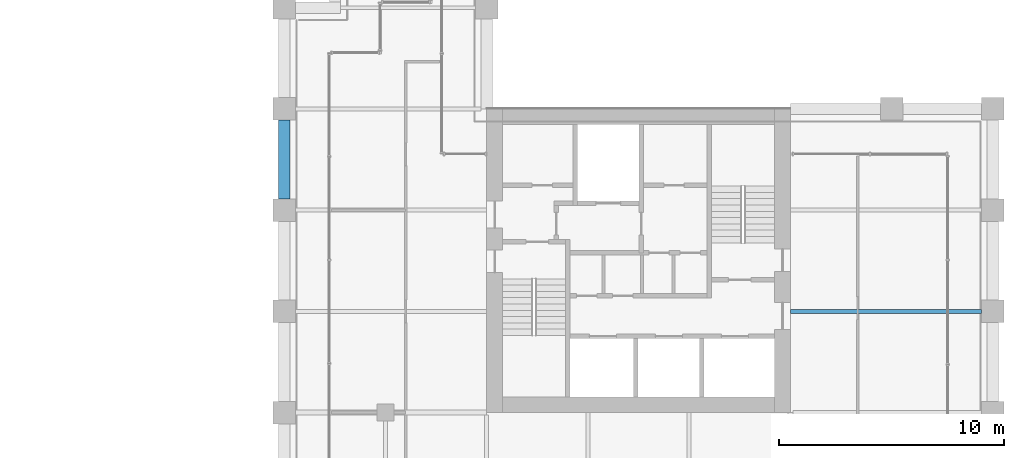
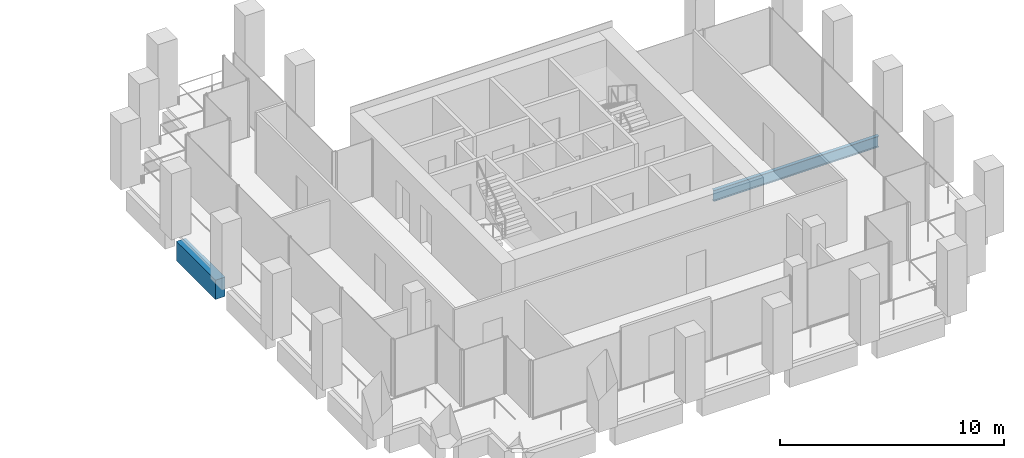
# One storey, part 33 of 45: 2 beams.
"""IFC4 building model written with IfcOpenShell, lengths in metres."""

from ifc_helpers import new_model, si_unit, direction, frame, origin, origin_2d, place, context, subcontext, project, spatial, rectangle, i_section, extrude, material, material_profile, profile_set, type_object, element, save


model = new_model("IFC4")

# Units and contexts
model_context = context("Model", 3, precision=1e-05, world=origin(), true_north=direction((0.0, 1.0)))
body_context = subcontext(model_context, "Body", "Model", "MODEL_VIEW")
ifc_project = project(units=[si_unit("LENGTHUNIT", "METRE"), si_unit("AREAUNIT", "SQUARE_METRE"), si_unit("VOLUMEUNIT", "CUBIC_METRE"), si_unit("PLANEANGLEUNIT", "RADIAN"), si_unit("MASSUNIT", "GRAM", prefix="KILO")], contexts=[model_context])

# Site, building, storey
site_placement = place(None, origin())
site = spatial("IfcSite", under=ifc_project, at=site_placement, CompositionType="ELEMENT")
building_placement = place(site_placement, origin())
building = spatial("IfcBuilding", under=site, at=building_placement, Name="Altepetl Exchange Towers", CompositionType="ELEMENT")
storey_placement = place(building_placement, frame((0.0, 0.0, 110.0)))
storey = spatial("IfcBuildingStorey", under=building, at=storey_placement, Name="L27", CompositionType="ELEMENT", Elevation=110.0)

# Beams
ifc_material_1 = material(Name="Steel S355", Category="steel")
ifc_material_profile_1 = material_profile(ifc_material_1, i_section(OverallWidth=0.177978515625, OverallDepth=0.59912109375, WebThickness=0.010009765625, FlangeThickness=0.0126953125, at=origin_2d()), Name="W24X55")
ifc_profile_set_1 = profile_set([ifc_material_profile_1], Name="Steel S355")
beam_type_1 = type_object("IfcBeamType", Name="Floor beam W24X55", PredefinedType="BEAM", material=ifc_profile_set_1)
beam_1_placement = place(storey_placement, frame((117.0, 40.5, -0.449462890625), z_axis=(1.0, 0.0, 0.0), x_axis=(0.0, 1.0, 0.0)))
element("IfcBeam", 1, at=beam_1_placement, inside=storey, type_object=beam_type_1, Name="bm:B:L27:002", PredefinedType="BEAM", context=body_context, shape_type="SweptSolid", body=[
    extrude(i_section(OverallWidth=0.177978515625, OverallDepth=0.59912109375, WebThickness=0.010009765625, FlangeThickness=0.0126953125, at=origin_2d()), origin(), (0.0, 0.0, 1.0), 8.5),
])
ifc_material_2 = material(Name="Concrete C50/60 precast with cantera rosa facing", Category="concrete")
ifc_material_profile_2 = material_profile(ifc_material_2, rectangle(XDim=0.5, YDim=1.050048828125, at=origin_2d()), Name="500 x 1050")
ifc_profile_set_2 = profile_set([ifc_material_profile_2], Name="Concrete C50/60 precast with cantera rosa facing")
beam_type_2 = type_object("IfcBeamType", Name="Spandrel beam 500x1050 cantera rosa", PredefinedType="SPANDREL", material=ifc_profile_set_2)
beam_2_placement = place(storey_placement, frame((94.5, 49.0, -0.675048828125), z_axis=(0.0, -1.0, 0.0), x_axis=(1.0, 0.0, 0.0)))
element("IfcBeam", 2, at=beam_2_placement, inside=storey, type_object=beam_type_2, Name="sp:B:L27:023", PredefinedType="SPANDREL", context=body_context, shape_type="SweptSolid", body=[
    extrude(rectangle(XDim=0.5, YDim=1.050048828125, at=origin_2d()), origin(), (0.0, 0.0, 1.0), 3.5),
])

save(model, "model.ifc")
